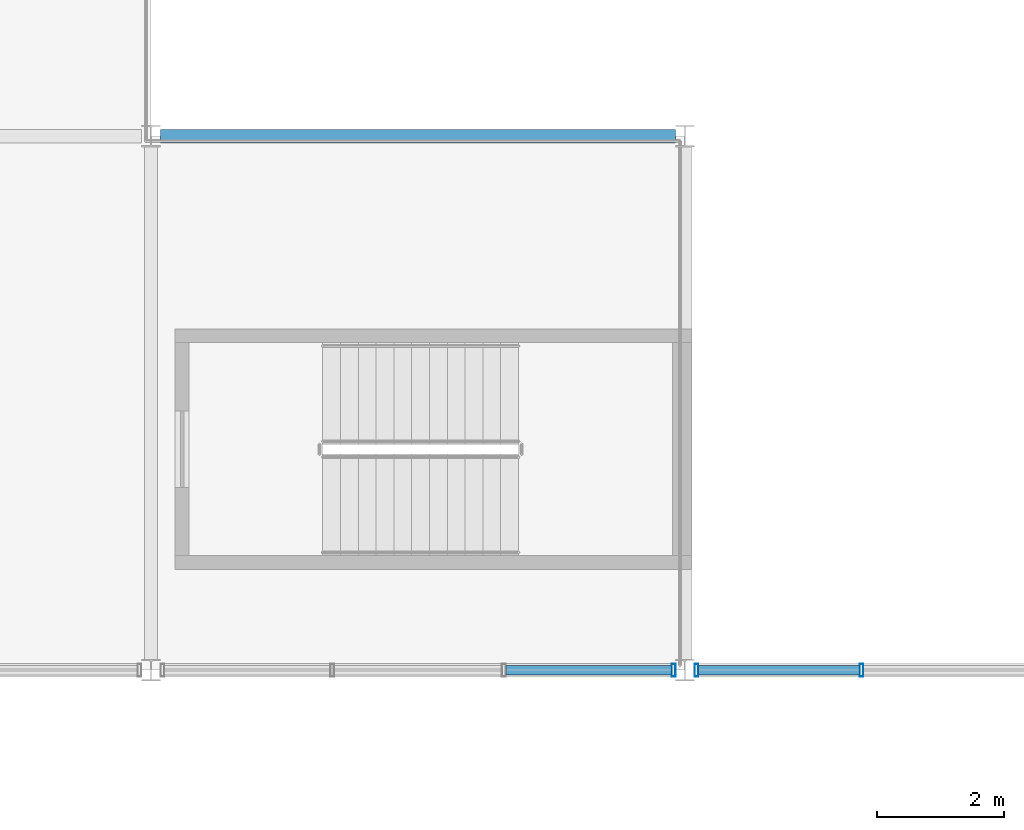
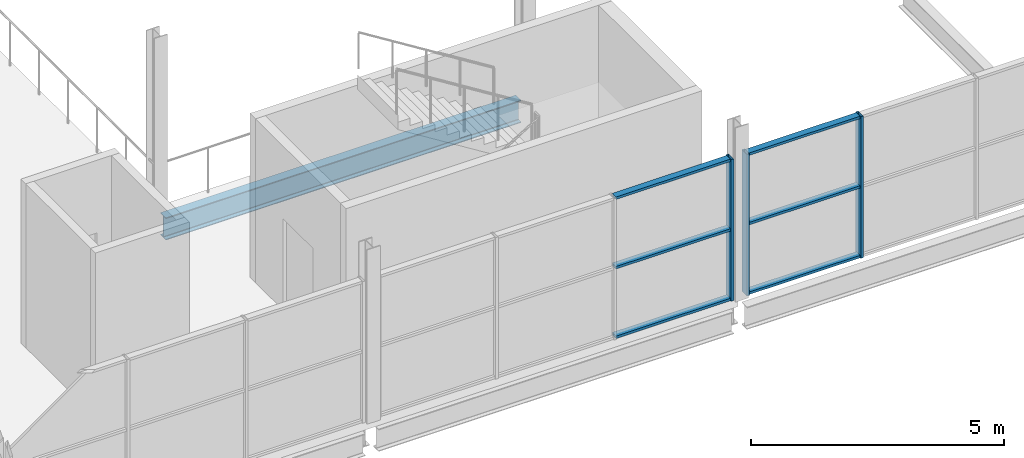
# One storey, part 19 of 93: 9 members, 1 beam, 2 elements without a shape of their own.
"""IFC4 building model written with IfcOpenShell, lengths in metres."""

from ifc_helpers import new_model, si_unit, direction, frame, origin, origin_2d, place, context, subcontext, project, spatial, hollow_rectangle, i_section, extrude, material, material_profile, profile_set, type_object, element, aggregate, save


model = new_model("IFC4")

# Units and contexts
model_context = context("Model", 3, precision=1e-05, world=origin(), true_north=direction((0.0, 1.0)))
body_context = subcontext(model_context, "Body", "Model", "MODEL_VIEW")
ifc_project = project(units=[si_unit("LENGTHUNIT", "METRE"), si_unit("AREAUNIT", "SQUARE_METRE"), si_unit("VOLUMEUNIT", "CUBIC_METRE"), si_unit("PLANEANGLEUNIT", "RADIAN"), si_unit("MASSUNIT", "GRAM", prefix="KILO"), si_unit("THERMODYNAMICTEMPERATUREUNIT", "KELVIN")], contexts=[model_context])

# Site, building, storey
site_placement = place(None, origin())
site = spatial("IfcSite", under=ifc_project, at=site_placement, CompositionType="ELEMENT")
building_placement = place(site_placement, origin())
building = spatial("IfcBuilding", under=site, at=building_placement, Name="Nduvali Passage Aquatics Centre", CompositionType="ELEMENT")
storey_placement = place(building_placement, frame((0.0, 0.0, 9.0)))
storey = spatial("IfcBuildingStorey", under=building, at=storey_placement, Name="L02", CompositionType="ELEMENT", Elevation=9.0)

# Curtain wall, member
ifc_material_1 = material(Name="Aluminium EN AW-6063 T6", Category="aluminium")
curtain_wall_type = type_object("IfcCurtainWallType", Name="ENV-CW-DIVE", PredefinedType="NOTDEFINED", material=ifc_material_1)
curtain_wall_1_placement = place(storey_placement, origin())
curtain_wall_1 = element("IfcCurtainWall", 1, at=curtain_wall_1_placement, inside=storey, type_object=curtain_wall_type, Name="L02 Diving Side Clerestory CW 150", PredefinedType="NOTDEFINED")
ifc_material_profile_1 = material_profile(ifc_material_1, hollow_rectangle(XDim=0.06005859375, YDim=0.199951171875, WallThickness=0.00390625, at=origin_2d()), Name="ALU MULLION 60x200x4")
ifc_profile_set_1 = profile_set([ifc_material_profile_1], Name="Aluminium EN AW-6063 T6")
member_type_1 = type_object("IfcMemberType", Name="ENV-MEM-MUL80", PredefinedType="MULLION", material=ifc_profile_set_1)
member_1_placement = place(storey_placement, frame((16.6201171875, 33.60009765625, 0.0), z_axis=(0.0, 0.0, 1.0), x_axis=(1.0, 0.0, 0.0)))
member_1 = element("IfcMember", 2, at=member_1_placement, type_object=member_type_1, Name="Diving Side Clerestory CW Mullion 4", PredefinedType="MULLION", context=body_context, shape_type="SweptSolid", body=[
    extrude(hollow_rectangle(XDim=0.06005859375, YDim=0.199951171875, WallThickness=0.00390625, at=origin_2d()), origin(), (0.0, 0.0, 1.0), 3.412841796875),
])

# Curtain wall, members
curtain_wall_2_placement = place(storey_placement, origin())
curtain_wall_2 = element("IfcCurtainWall", 3, at=curtain_wall_2_placement, inside=storey, type_object=curtain_wall_type, Name="L02 Diving Side Clerestory CW 152", PredefinedType="NOTDEFINED")
member_2_placement = place(storey_placement, frame((16.97998046875, 33.60009765625, 0.0), z_axis=(0.0, 0.0, 1.0), x_axis=(1.0, 0.0, 0.0)))
member_2 = element("IfcMember", 4, at=member_2_placement, type_object=member_type_1, Name="Diving Side Clerestory CW Mullion 1", PredefinedType="MULLION", context=body_context, shape_type="SweptSolid", body=[
    extrude(hollow_rectangle(XDim=0.06005859375, YDim=0.199951171875, WallThickness=0.00390625, at=origin_2d()), origin(), (0.0, 0.0, 1.0), 3.412841796875),
])
member_3_placement = place(storey_placement, frame((19.574951171875, 33.60009765625, 0.0), z_axis=(0.0, 0.0, 1.0), x_axis=(1.0, 0.0, 0.0)))
member_3 = element("IfcMember", 5, at=member_3_placement, type_object=member_type_1, Name="Diving Side Clerestory CW Mullion 2", PredefinedType="MULLION", context=body_context, shape_type="SweptSolid", body=[
    extrude(hollow_rectangle(XDim=0.06005859375, YDim=0.199951171875, WallThickness=0.00390625, at=origin_2d()), origin(), (0.0, 0.0, 1.0), 3.412841796875),
])

# Member
ifc_material_profile_2 = material_profile(ifc_material_1, hollow_rectangle(XDim=0.14990234375, YDim=0.06005859375, WallThickness=0.00390625, at=origin_2d()), Name="ALU TRANSOM 150x60x4")
ifc_profile_set_2 = profile_set([ifc_material_profile_2], Name="Aluminium EN AW-6063 T6")
member_type_2 = type_object("IfcMemberType", Name="ENV-MEM-TRN80", PredefinedType="USERDEFINED", material=ifc_profile_set_2)
member_4_placement = place(storey_placement, frame((13.97998046875, 33.60009765625, 0.030029296875), z_axis=(1.0, 0.0, 0.0), x_axis=(0.0, 1.0, 0.0)))
member_4 = element("IfcMember", 6, at=member_4_placement, type_object=member_type_2, Name="Diving Side Clerestory CW Transom B3-R0", ObjectType="TRANSOM", PredefinedType="USERDEFINED", context=body_context, shape_type="SweptSolid", body=[
    extrude(hollow_rectangle(XDim=0.14990234375, YDim=0.06005859375, WallThickness=0.00390625, at=origin_2d()), origin(), (0.0, 0.0, 1.0), 2.610107421875),
])

member_5_placement = place(storey_placement, frame((13.97998046875, 33.60009765625, 1.706298828125), z_axis=(1.0, 0.0, 0.0), x_axis=(0.0, 1.0, 0.0)))
member_5 = element("IfcMember", 7, at=member_5_placement, type_object=member_type_2, Name="Diving Side Clerestory CW Transom B3-R1", ObjectType="TRANSOM", PredefinedType="USERDEFINED", context=body_context, shape_type="SweptSolid", body=[
    extrude(hollow_rectangle(XDim=0.14990234375, YDim=0.06005859375, WallThickness=0.00390625, at=origin_2d()), origin(), (0.0, 0.0, 1.0), 2.610107421875),
])

member_6_placement = place(storey_placement, frame((13.97998046875, 33.60009765625, 3.3828125), z_axis=(1.0, 0.0, 0.0), x_axis=(0.0, 1.0, 0.0)))
member_6 = element("IfcMember", 8, at=member_6_placement, type_object=member_type_2, Name="Diving Side Clerestory CW Transom B3-R2", ObjectType="TRANSOM", PredefinedType="USERDEFINED", context=body_context, shape_type="SweptSolid", body=[
    extrude(hollow_rectangle(XDim=0.14990234375, YDim=0.06005859375, WallThickness=0.00390625, at=origin_2d()), origin(), (0.0, 0.0, 1.0), 2.610107421875),
])

aggregate(curtain_wall_1, [member_1, member_4, member_5, member_6])

member_7_placement = place(storey_placement, frame((17.010009765625, 33.60009765625, 0.030029296875), z_axis=(1.0, 0.0, 0.0), x_axis=(0.0, 1.0, 0.0)))
member_7 = element("IfcMember", 9, at=member_7_placement, type_object=member_type_2, Name="Diving Side Clerestory CW Transom B1-R0", ObjectType="TRANSOM", PredefinedType="USERDEFINED", context=body_context, shape_type="SweptSolid", body=[
    extrude(hollow_rectangle(XDim=0.14990234375, YDim=0.06005859375, WallThickness=0.00390625, at=origin_2d()), origin(), (0.0, 0.0, 1.0), 2.534912109375),
])

member_8_placement = place(storey_placement, frame((17.010009765625, 33.60009765625, 1.706298828125), z_axis=(1.0, 0.0, 0.0), x_axis=(0.0, 1.0, 0.0)))
member_8 = element("IfcMember", 10, at=member_8_placement, type_object=member_type_2, Name="Diving Side Clerestory CW Transom B1-R1", ObjectType="TRANSOM", PredefinedType="USERDEFINED", context=body_context, shape_type="SweptSolid", body=[
    extrude(hollow_rectangle(XDim=0.14990234375, YDim=0.06005859375, WallThickness=0.00390625, at=origin_2d()), origin(), (0.0, 0.0, 1.0), 2.534912109375),
])

member_9_placement = place(storey_placement, frame((17.010009765625, 33.60009765625, 3.3828125), z_axis=(1.0, 0.0, 0.0), x_axis=(0.0, 1.0, 0.0)))
member_9 = element("IfcMember", 11, at=member_9_placement, type_object=member_type_2, Name="Diving Side Clerestory CW Transom B1-R2", ObjectType="TRANSOM", PredefinedType="USERDEFINED", context=body_context, shape_type="SweptSolid", body=[
    extrude(hollow_rectangle(XDim=0.14990234375, YDim=0.06005859375, WallThickness=0.00390625, at=origin_2d()), origin(), (0.0, 0.0, 1.0), 2.534912109375),
])

aggregate(curtain_wall_2, [member_2, member_3, member_7, member_8, member_9])

# Beam
ifc_material_2 = material(Name="Steel S355", Category="steel")
ifc_material_profile_3 = material_profile(ifc_material_2, i_section(OverallWidth=0.210693359375, OverallDepth=0.53955078125, WebThickness=0.01171875, FlangeThickness=0.018798828125, FilletRadius=0.0126953125, at=origin_2d()), Name="UKB 533x210x109")
ifc_profile_set_3 = profile_set([ifc_material_profile_3], Name="Steel S355")
beam_type = type_object("IfcBeamType", Name="STR-BM-UKB533", PredefinedType="BEAM", material=ifc_profile_set_3)
beam_placement = place(storey_placement, frame((8.550048828125, 42.0, -0.53369140625), z_axis=(1.0, 0.0, 0.0), x_axis=(0.0, 1.0, 0.0)))
element("IfcBeam", 12, at=beam_placement, inside=storey, type_object=beam_type, Name="L02 Primary X-Girder B6-0891", PredefinedType="BEAM", context=body_context, shape_type="SweptSolid", body=[
    extrude(i_section(OverallWidth=0.210693359375, OverallDepth=0.53955078125, WebThickness=0.01171875, FlangeThickness=0.018798828125, FilletRadius=0.0126953125, at=origin_2d()), origin(), (0.0, 0.0, 1.0), 8.099853515625),
])

save(model, "model.ifc")
